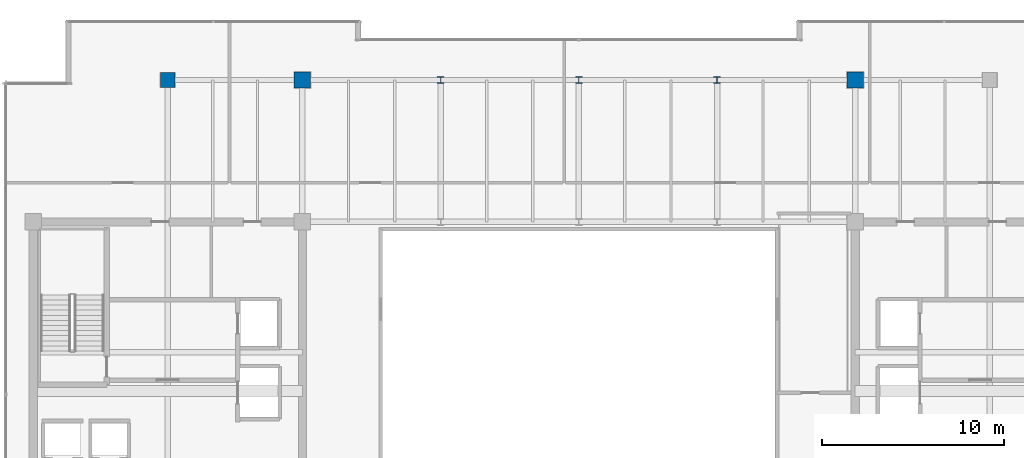
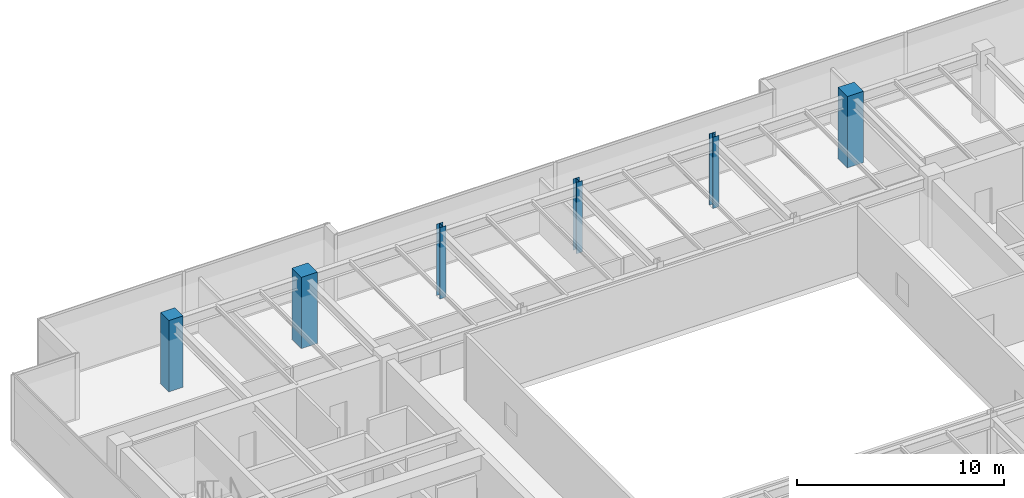
# One storey, part 3 of 34: 6 columns.
"""IFC4 building model written with IfcOpenShell, lengths in metres."""

import ifcopenshell
import ifcopenshell.guid

model = None  # the IFC model being written
_history = None  # IfcOwnerHistory: only IFC2X3 demands one
_inside = {}  # id of a spatial element -> (the spatial element, [elements in it])
_under = {}  # id of a project, library or spatial element -> (it, [spatial elements below it])
_declared = {}  # id of a project -> (the project, [libraries it declares])
_typed = {}  # id of a type object -> (the type object, [elements of that type])
_made_of = {}  # id of a material, layer set ... -> (it, [elements and type objects made of it])


def new_model(schema):
    """Start an empty IFC model of exactly this schema.

    Asked for "IFC4X3", IfcOpenShell would pick the latest addendum, in which some entities
    have other attributes; the version numbers below select the first issue.
    IFC2X3 requires an IfcOwnerHistory on every rooted entity: one is made here for all.
    """
    global model, _history
    if schema == "IFC4X3":
        model = ifcopenshell.file(schema_version=(4, 3, 0, 0))
    else:
        model = ifcopenshell.file(schema=schema)
    _inside.clear()
    _under.clear()
    _declared.clear()
    _typed.clear()
    _made_of.clear()
    _history = None
    if model.schema == "IFC2X3":
        org = make("IfcOrganization", Name="unknown")
        user = make(
            "IfcPersonAndOrganization",
            ThePerson=make("IfcPerson", FamilyName="unknown"),
            TheOrganization=org,
        )
        app = make(
            "IfcApplication",
            ApplicationDeveloper=org,
            Version="unknown",
            ApplicationFullName="unknown",
            ApplicationIdentifier="unknown",
        )
        _history = make(
            "IfcOwnerHistory",
            OwningUser=user,
            OwningApplication=app,
            ChangeAction="ADDED",
            CreationDate=0,
        )
    return model


def make(cls, **values):
    """One entity of the class cls with the attributes given. An attribute that is None is left unset."""
    return model.create_entity(
        cls, **{name: value for name, value in values.items() if value is not None}
    )


def rooted(cls, **values):
    """An entity with a GlobalId (a new one), such as an element, a storey or a relation."""
    return make(cls, GlobalId=ifcopenshell.guid.new(), OwnerHistory=_history, **values)


def si_unit(unit_type, name, prefix=None):
    """IfcSIUnit, for example si_unit("LENGTHUNIT", "METRE", prefix="MILLI")."""
    return make("IfcSIUnit", UnitType=unit_type, Prefix=prefix, Name=name)


def assignment(units):
    """IfcUnitAssignment: the units of a project."""
    return None if units is None else make("IfcUnitAssignment", Units=units)


def point(xyz):
    """IfcCartesianPoint."""
    return None if xyz is None else make("IfcCartesianPoint", Coordinates=xyz)


def direction(xyz):
    """IfcDirection."""
    return None if xyz is None else make("IfcDirection", DirectionRatios=xyz)


def frame(location, z_axis=None, x_axis=None):
    """IfcAxis2Placement3D, a coordinate frame: its origin and axes. An axis left out is left unset."""
    return make(
        "IfcAxis2Placement3D",
        Location=point(location),
        Axis=direction(z_axis),
        RefDirection=direction(x_axis),
    )


def frame_2d(location, x_axis=None):
    """IfcAxis2Placement2D, a coordinate frame in the plane: its origin and x axis."""
    return make(
        "IfcAxis2Placement2D", Location=point(location), RefDirection=direction(x_axis)
    )


def origin():
    """The frame at (0, 0, 0) with its axes left unset."""
    return frame((0.0, 0.0, 0.0))


def origin_2d():
    """The frame at (0, 0) in the plane with its x axis left unset."""
    return frame_2d((0.0, 0.0))


def place(relative_to, where):
    """IfcLocalPlacement: puts the frame where relative to a parent placement (None: the world)."""
    return make(
        "IfcLocalPlacement", PlacementRelTo=relative_to, RelativePlacement=where
    )


def context(
    kind, dimensions, precision=None, world=None, true_north=None, identifier=None
):
    """IfcGeometricRepresentationContext, for example the 3D "Model" context."""
    return make(
        "IfcGeometricRepresentationContext",
        ContextIdentifier=identifier,
        ContextType=kind,
        CoordinateSpaceDimension=dimensions,
        Precision=precision,
        WorldCoordinateSystem=world,
        TrueNorth=true_north,
    )


def subcontext(parent, identifier, kind, view, scale=None):
    """IfcGeometricRepresentationSubContext, for example "Body" below "Model"."""
    return make(
        "IfcGeometricRepresentationSubContext",
        ContextIdentifier=identifier,
        ContextType=kind,
        ParentContext=parent,
        TargetScale=scale,
        TargetView=view,
    )


def project(units=None, contexts=None):
    """IfcProject with its units and contexts."""
    return rooted(
        "IfcProject",
        Name="project",
        RepresentationContexts=contexts,
        UnitsInContext=assignment(units),
    )


def spatial(cls, under=None, at=None, **own):
    """A site, building, storey or space (cls), placed at a placement, below another one or the project."""
    s = rooted(cls, ObjectPlacement=at, **own)
    if under is not None:
        _under.setdefault(under.id(), (under, []))[1].append(s)
    return s


def profile(cls, at=None, kind="AREA", **sizes):
    """A parametric profile (cls). Its sizes go by their IFC names, for example OverallWidth=200.0."""
    return make(cls, ProfileType=kind, Position=at, **sizes)


def rectangle(**sizes):
    """IfcRectangleProfileDef."""
    return profile("IfcRectangleProfileDef", **sizes)


def i_section(**sizes):
    """IfcIShapeProfileDef."""
    return profile("IfcIShapeProfileDef", **sizes)


def extrude(swept, where, along, depth):
    """IfcExtrudedAreaSolid: the profile swept, set in the frame where, extruded along a direction by depth."""
    return make(
        "IfcExtrudedAreaSolid",
        SweptArea=swept,
        Position=where,
        ExtrudedDirection=direction(along),
        Depth=depth,
    )


def shape(context_of_items, identifier, shape_type, items):
    """IfcShapeRepresentation: the items that make up one representation, for example the "Body"."""
    return make(
        "IfcShapeRepresentation",
        ContextOfItems=context_of_items,
        RepresentationIdentifier=identifier,
        RepresentationType=shape_type,
        Items=items,
    )


def source(mapping_origin, context_of_items, identifier, shape_type, items):
    """IfcRepresentationMap: a shape defined once, which mapped items show again and again."""
    return make(
        "IfcRepresentationMap",
        MappingOrigin=mapping_origin,
        MappedRepresentation=shape(context_of_items, identifier, shape_type, items),
    )


def transform(
    local_origin,
    x_axis=None,
    y_axis=None,
    z_axis=None,
    scale=None,
    scale2=None,
    scale3=None,
    uniform=True,
):
    """IfcCartesianTransformationOperator3D, or its non-uniform kind. x_axis, y_axis, z_axis: its Axis1, 2, 3."""
    if uniform:
        return make(
            "IfcCartesianTransformationOperator3D",
            Axis1=direction(x_axis),
            Axis2=direction(y_axis),
            LocalOrigin=point(local_origin),
            Scale=scale,
            Axis3=direction(z_axis),
        )
    return make(
        "IfcCartesianTransformationOperator3DnonUniform",
        Axis1=direction(x_axis),
        Axis2=direction(y_axis),
        LocalOrigin=point(local_origin),
        Scale=scale,
        Axis3=direction(z_axis),
        Scale2=scale2,
        Scale3=scale3,
    )


def mapped(mapping_source, mapping_target):
    """IfcMappedItem: shows the shape of a source again, moved by a transform."""
    return make(
        "IfcMappedItem", MappingSource=mapping_source, MappingTarget=mapping_target
    )


def material(Name=None, Category=None):
    """IfcMaterial."""
    return make("IfcMaterial", Name=Name, Category=Category)


def material_profile(
    of_material, cross_section, Name=None, Category=None, Priority=None
):
    """IfcMaterialProfile: a cross section and its material."""
    return make(
        "IfcMaterialProfile",
        Name=Name,
        Material=of_material,
        Profile=cross_section,
        Priority=Priority,
        Category=Category,
    )


def profile_set(profiles, Name=None, composite=None):
    """IfcMaterialProfileSet."""
    return make(
        "IfcMaterialProfileSet",
        Name=Name,
        MaterialProfiles=profiles,
        CompositeProfile=composite,
    )


def made_of(thing, what):
    """Note that an element or type object is made of a material, layer set ...; save() writes the relation."""
    if what is not None:
        _made_of.setdefault(what.id(), (what, []))[1].append(thing)
    return thing


def type_object(cls, material=None, **own):
    """A type object (cls), such as IfcWallType, which elements share."""
    return made_of(rooted(cls, **own), material)


def type_shapes(of_type, sources):
    """Give a type object the sources (RepresentationMaps) that its elements show as mapped items."""
    of_type.RepresentationMaps = sources


def element(
    cls,
    number,
    at=None,
    inside=None,
    cuts=None,
    type_object=None,
    material=None,
    context=None,
    identifier="Body",
    shape_type=None,
    held_by="IfcProductDefinitionShape",
    body=None,
    shapes=None,
    **own,
):
    """One element of the class cls, such as IfcWall. Its Tag is "e" and its number.

    at: its placement. inside: the storey or other place that contains it. cuts: it is an
    opening in that element (IfcRelVoidsElement). A single representation is given by context,
    identifier, shape_type and body (its items); several are given by shapes. held_by: the class
    of the entity that holds the representations. save() writes the other relations.
    """
    e = rooted(cls, Tag="e%d" % number, ObjectPlacement=at, **own)
    if body is not None:
        shapes = [shape(context, identifier, shape_type, body)]
    if shapes is not None:
        e.Representation = make(held_by, Representations=shapes)
    if inside is not None:
        _inside.setdefault(inside.id(), (inside, []))[1].append(e)
    if cuts is not None:
        rooted(
            "IfcRelVoidsElement", RelatingBuildingElement=cuts, RelatedOpeningElement=e
        )
    if type_object is not None:
        _typed.setdefault(type_object.id(), (type_object, []))[1].append(e)
    return made_of(e, material)


def aggregate(whole, parts):
    """IfcRelAggregates: a whole, such as a stair, and the parts it consists of."""
    return rooted("IfcRelAggregates", RelatingObject=whole, RelatedObjects=parts)


def save(model, path):
    """Write the relations noted so far, then the file.

    IfcRelAggregates (storeys below a building ...), IfcRelContainedInSpatialStructure (elements
    in a storey), IfcRelDefinesByType, IfcRelAssociatesMaterial and IfcRelDeclares: one each for
    every whole, place, type object, material and project.
    """
    for whole, parts in _under.values():
        aggregate(whole, parts)
    for where, things in _inside.values():
        rooted(
            "IfcRelContainedInSpatialStructure",
            RelatedElements=things,
            RelatingStructure=where,
        )
    for kind, things in _typed.values():
        rooted("IfcRelDefinesByType", RelatedObjects=things, RelatingType=kind)
    for what, things in _made_of.values():
        rooted("IfcRelAssociatesMaterial", RelatedObjects=things, RelatingMaterial=what)
    for by, libraries in _declared.values():
        rooted("IfcRelDeclares", RelatingContext=by, RelatedDefinitions=libraries)
    model.write(path)


model = new_model("IFC4")

# Units and contexts
model_context = context("Model", 3, precision=1e-05, world=origin(), true_north=direction((0.0, 1.0)))
body_context = subcontext(model_context, "Body", "Model", "MODEL_VIEW")
ifc_project = project(units=[si_unit("LENGTHUNIT", "METRE"), si_unit("AREAUNIT", "SQUARE_METRE"), si_unit("VOLUMEUNIT", "CUBIC_METRE"), si_unit("PLANEANGLEUNIT", "RADIAN"), si_unit("MASSUNIT", "GRAM", prefix="KILO")], contexts=[model_context])

# Site, building, storey
site_placement = place(None, origin())
site = spatial("IfcSite", under=ifc_project, at=site_placement, CompositionType="ELEMENT")
building_placement = place(site_placement, origin())
building = spatial("IfcBuilding", under=site, at=building_placement, Name="Haelvirn Gate Laboratories", CompositionType="ELEMENT")
storey_placement = place(building_placement, frame((0.0, 0.0, 322.800048828125)))
storey = spatial("IfcBuildingStorey", under=building, at=storey_placement, Name="L77", CompositionType="ELEMENT", Elevation=322.800048828125)

# Columns
ifc_material_1 = material(Name="Concrete C50/60", Category="concrete")
ifc_material_profile_1 = material_profile(ifc_material_1, rectangle(XDim=0.800048828125, YDim=0.800048828125, at=origin_2d()), Name="RC-800x800")
ifc_profile_set_1 = profile_set([ifc_material_profile_1], Name="Concrete C50/60")
column_type_1 = type_object("IfcColumnType", Name="COL-RC-800", PredefinedType="COLUMN", material=ifc_profile_set_1)
shared_shape_1 = source(origin(), body_context, "Body", "SweptSolid", [
    extrude(rectangle(XDim=0.800048828125, YDim=0.800048828125, at=origin_2d()), origin(), (0.0, 0.0, 1.0), 4.199951171875),
])
type_shapes(column_type_1, [shared_shape_1])
column_placement = place(storey_placement, frame((14.800048828125, 41.60009765625, 0.0), z_axis=(0.0, 0.0, 1.0), x_axis=(1.0, 0.0, 0.0)))
element("IfcColumn", 1, at=column_placement, inside=storey, type_object=column_type_1, Name="L77 Column 3G", PredefinedType="COLUMN", context=body_context, shape_type="MappedRepresentation", body=[
    mapped(shared_shape_1, transform((0.0, 0.0, 0.0), scale=1.0)),
])
ifc_material_profile_2 = material_profile(ifc_material_1, rectangle(XDim=0.89990234375, YDim=0.89990234375, at=origin_2d()), Name="RC-900x900")
ifc_profile_set_2 = profile_set([ifc_material_profile_2], Name="Concrete C50/60")
column_type_2 = type_object("IfcColumnType", Name="COL-RC-900", PredefinedType="COLUMN", material=ifc_profile_set_2)
shared_shape_2 = source(origin(), body_context, "Body", "SweptSolid", [
    extrude(rectangle(XDim=0.89990234375, YDim=0.89990234375, at=origin_2d()), origin(), (0.0, 0.0, 1.0), 4.199951171875),
])
type_shapes(column_type_2, [shared_shape_2])
for number, where, z_axis, x_axis, name in (
    (2, (22.199951171875, 41.60009765625, 0.0), (0.0, 0.0, 1.0), (1.0, 0.0, 0.0), "L77 Column 4G"),
    (3, (52.60009765625, 41.60009765625, 0.0), (0.0, 0.0, 1.0), (1.0, 0.0, 0.0), "L77 Column 8G"),
):
    element("IfcColumn", number, at=place(storey_placement, frame(where, z_axis=z_axis, x_axis=x_axis)), inside=storey, type_object=column_type_2, Name=name, PredefinedType="COLUMN", context=body_context, shape_type="MappedRepresentation", body=[
        mapped(shared_shape_2, transform((0.0, 0.0, 0.0), scale=1.0)),
    ])
ifc_material_2 = material(Name="Steel SM355", Category="steel")
ifc_material_profile_3 = material_profile(ifc_material_2, i_section(OverallWidth=0.35009765625, OverallDepth=0.35009765625, WebThickness=0.011962890625, FlangeThickness=0.01904296875, at=origin_2d()), Name="H-350x350x12x19")
ifc_profile_set_3 = profile_set([ifc_material_profile_3], Name="Steel SM355")
column_type_3 = type_object("IfcColumnType", Name="COL-H-350", PredefinedType="COLUMN", material=ifc_profile_set_3)
shared_shape_3 = source(origin(), body_context, "Body", "SweptSolid", [
    extrude(i_section(OverallWidth=0.35009765625, OverallDepth=0.35009765625, WebThickness=0.011962890625, FlangeThickness=0.01904296875, at=origin_2d()), origin(), (0.0, 0.0, 1.0), 4.199951171875),
])
type_shapes(column_type_3, [shared_shape_3])
for number, where, z_axis, x_axis, name in (
    (4, (29.800048828125, 41.60009765625, 0.0), (0.0, 0.0, 1.0), (1.0, 0.0, 0.0), "L77 Column 5G"),
    (5, (37.39990234375, 41.60009765625, 0.0), (0.0, 0.0, 1.0), (1.0, 0.0, 0.0), "L77 Column 6G"),
    (6, (45.0, 41.60009765625, 0.0), (0.0, 0.0, 1.0), (1.0, 0.0, 0.0), "L77 Column 7G"),
):
    element("IfcColumn", number, at=place(storey_placement, frame(where, z_axis=z_axis, x_axis=x_axis)), inside=storey, type_object=column_type_3, Name=name, PredefinedType="COLUMN", context=body_context, shape_type="MappedRepresentation", body=[
        mapped(shared_shape_3, transform((0.0, 0.0, 0.0), scale=1.0)),
    ])

save(model, "model.ifc")
